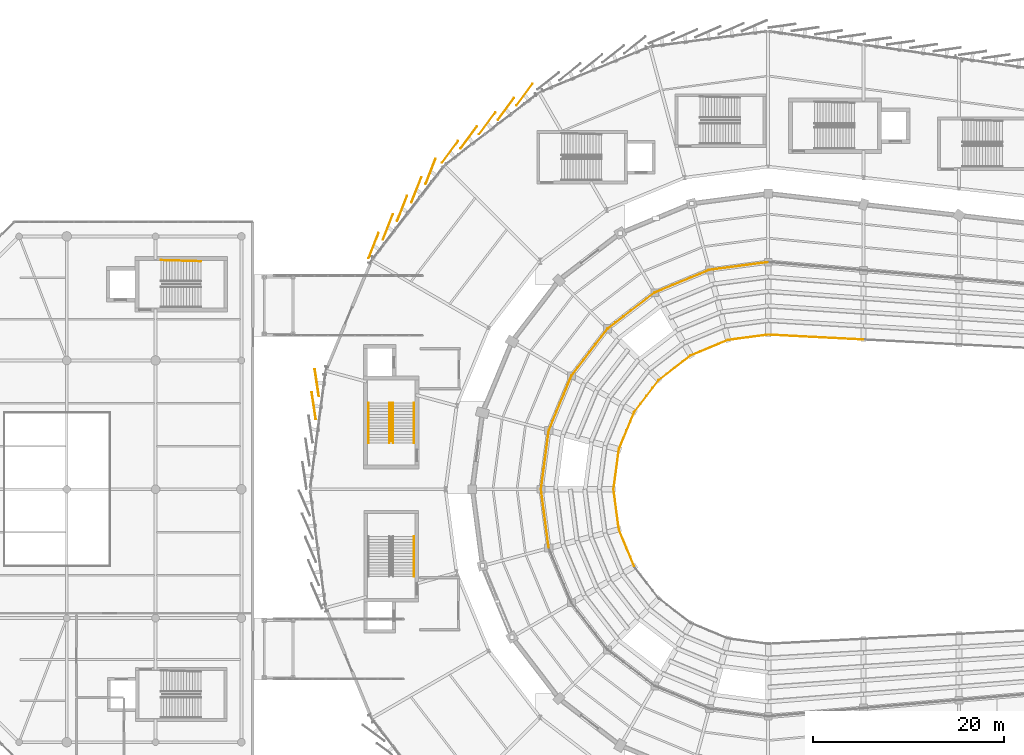
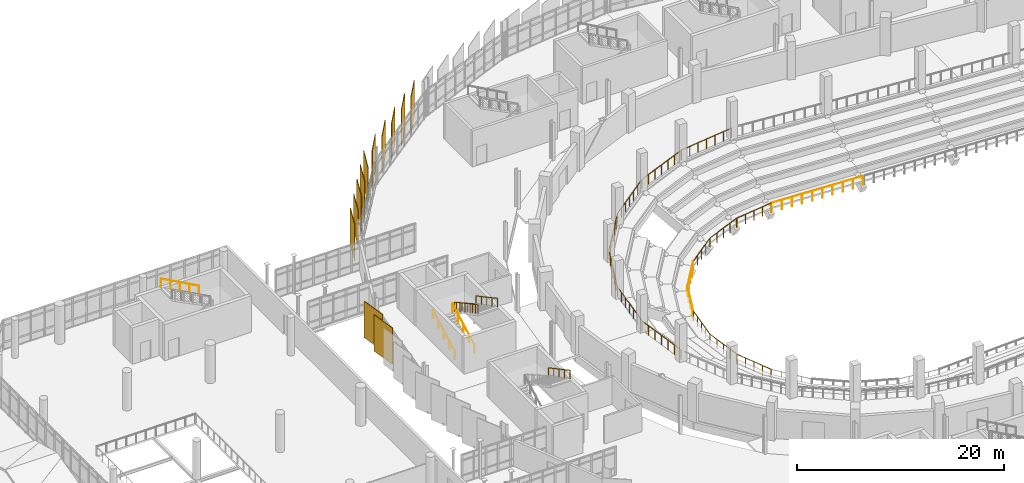
# One storey, part 127 of 134: 23 railings, 12 coverings.
"""IFC4 building model written with IfcOpenShell, lengths in metres."""

from ifc_helpers import new_model, si_unit, direction, frame, origin, origin_2d, place, context, subcontext, project, spatial, rectangle, circle, extrude, material, layer, layer_set, type_object, element, save


model = new_model("IFC4")

# Units and contexts
model_context = context("Model", 3, precision=1e-05, world=origin(), true_north=direction((0.0, 1.0)))
body_context = subcontext(model_context, "Body", "Model", "MODEL_VIEW")
ifc_project = project(units=[si_unit("LENGTHUNIT", "METRE"), si_unit("AREAUNIT", "SQUARE_METRE"), si_unit("VOLUMEUNIT", "CUBIC_METRE"), si_unit("PLANEANGLEUNIT", "RADIAN"), si_unit("MASSUNIT", "GRAM", prefix="KILO")], contexts=[model_context])

# Site, building, storey
site_placement = place(None, origin())
site = spatial("IfcSite", under=ifc_project, at=site_placement, CompositionType="ELEMENT")
building_placement = place(site_placement, origin())
building = spatial("IfcBuilding", under=site, at=building_placement, Name="Sohan Crest Arena", CompositionType="ELEMENT")
storey_placement = place(building_placement, frame((0.0, 0.0, 4.5)))
storey = spatial("IfcBuildingStorey", under=building, at=storey_placement, Name="L01", CompositionType="ELEMENT", Elevation=4.5)

# Railings
ifc_material_1 = material(Name="Powder-coated wrought steel balustrade", Category="steel")
railing_type_1 = type_object("IfcRailingType", Name="ARC-GRD-01", PredefinedType="GUARDRAIL", material=ifc_material_1)
railing_1_placement = place(storey_placement, frame((58.5, 87.030029296875, 2.25)))
element("IfcRailing", 1, at=railing_1_placement, inside=storey, type_object=railing_type_1, Name="Stair well slot guard GRD-010", PredefinedType="GUARDRAIL", context=body_context, shape_type="SweptSolid", body=[
    extrude(circle(Radius=0.02392578125, at=origin_2d()), frame((0.0, 0.0, 1.076171875), z_axis=(0.0, -0.87313487534, 0.487478706678), x_axis=(1.0, 0.0, 0.0)), (0.0, 0.0, 1.0), 4.615478515625),
    extrude(circle(Radius=0.02099609375, at=origin_2d()), origin(), (0.0, 0.0, 1.0), 1.052001953125),
    extrude(circle(Radius=0.02099609375, at=origin_2d()), frame((0.0, -1.007568359375, 0.5625)), (0.0, 0.0, 1.0), 1.052001953125),
    extrude(circle(Radius=0.02099609375, at=origin_2d()), frame((0.0, -2.01513671875, 1.125)), (0.0, 0.0, 1.0), 1.052001953125),
    extrude(circle(Radius=0.02099609375, at=origin_2d()), frame((0.0, -3.0224609375, 1.6875)), (0.0, 0.0, 1.0), 1.052001953125),
    extrude(circle(Radius=0.02099609375, at=origin_2d()), frame((0.0, -4.030029296875, 2.25)), (0.0, 0.0, 1.0), 1.052001953125),
])
ifc_material_2 = material(Name="Laminated glass and steel sightline guard", Category="steel")
railing_type_2 = type_object("IfcRailingType", Name="ARC-GRD-02", PredefinedType="GUARDRAIL", material=ifc_material_2)
railing_2_placement = place(storey_placement, frame((97.9599609375, 94.195068359375, -4.25)))
element("IfcRailing", 2, at=railing_2_placement, inside=storey, type_object=railing_type_2, Name="Courtside bowl crowd barrier GRD-123", PredefinedType="GUARDRAIL", context=body_context, shape_type="SweptSolid", body=[
    extrude(circle(Radius=0.02392578125, at=origin_2d()), frame((0.0, 0.0, 1.1259765625), z_axis=(-0.991429239412, -0.130644797976, 0.0), x_axis=(0.130644797976, -0.991429239412, 0.0)), (0.0, 0.0, 1.0), 4.148681640625),
    extrude(circle(Radius=0.02099609375, at=origin_2d()), origin(), (0.0, 0.0, 1.0), 1.101806640625),
    extrude(circle(Radius=0.02099609375, at=origin_2d()), frame((-1.0283203125, -0.135498046875, 0.0)), (0.0, 0.0, 1.0), 1.101806640625),
    extrude(circle(Radius=0.02099609375, at=origin_2d()), frame((-2.056640625, -0.27099609375, 0.0)), (0.0, 0.0, 1.0), 1.101806640625),
    extrude(circle(Radius=0.02099609375, at=origin_2d()), frame((-3.084716796875, -0.406494140625, 0.0)), (0.0, 0.0, 1.0), 1.101806640625),
    extrude(circle(Radius=0.02099609375, at=origin_2d()), frame((-4.113037109375, -0.5419921875, 0.0)), (0.0, 0.0, 1.0), 1.101806640625),
])
railing_3_placement = place(storey_placement, frame((93.77001953125, 93.633056640625, -4.25)))
element("IfcRailing", 3, at=railing_3_placement, inside=storey, type_object=railing_type_2, Name="Courtside bowl crowd barrier GRD-124", PredefinedType="GUARDRAIL", context=body_context, shape_type="SweptSolid", body=[
    extrude(circle(Radius=0.02392578125, at=origin_2d()), frame((0.0, 0.0, 1.1259765625), z_axis=(-0.923841100882, -0.382776201353, 0.0), x_axis=(0.382776201353, -0.923841100882, 0.0)), (0.0, 0.0, 1.0), 4.14892578125),
    extrude(circle(Radius=0.02099609375, at=origin_2d()), origin(), (0.0, 0.0, 1.0), 1.101806640625),
    extrude(circle(Radius=0.02099609375, at=origin_2d()), frame((-0.958251953125, -0.39697265625, 0.0)), (0.0, 0.0, 1.0), 1.101806640625),
    extrude(circle(Radius=0.02099609375, at=origin_2d()), frame((-1.91650390625, -0.7939453125, 0.0)), (0.0, 0.0, 1.0), 1.101806640625),
    extrude(circle(Radius=0.02099609375, at=origin_2d()), frame((-2.874755859375, -1.191162109375, 0.0)), (0.0, 0.0, 1.0), 1.101806640625),
    extrude(circle(Radius=0.02099609375, at=origin_2d()), frame((-3.8330078125, -1.588134765625, 0.0)), (0.0, 0.0, 1.0), 1.101806640625),
])
railing_4_placement = place(storey_placement, frame((89.867919921875, 92.006103515625, -4.25)))
element("IfcRailing", 4, at=railing_4_placement, inside=storey, type_object=railing_type_2, Name="Courtside bowl crowd barrier GRD-125", PredefinedType="GUARDRAIL", context=body_context, shape_type="SweptSolid", body=[
    extrude(circle(Radius=0.02392578125, at=origin_2d()), frame((0.0, 0.0, 1.1259765625), z_axis=(-0.793142093284, -0.60903663261, 0.0), x_axis=(0.60903663261, -0.793142093284, 0.0)), (0.0, 0.0, 1.0), 4.1494140625),
    extrude(circle(Radius=0.02099609375, at=origin_2d()), origin(), (0.0, 0.0, 1.0), 1.101806640625),
    extrude(circle(Radius=0.02099609375, at=origin_2d()), frame((-0.82275390625, -0.6318359375, 0.0)), (0.0, 0.0, 1.0), 1.101806640625),
    extrude(circle(Radius=0.02099609375, at=origin_2d()), frame((-1.6455078125, -1.263671875, 0.0)), (0.0, 0.0, 1.0), 1.101806640625),
    extrude(circle(Radius=0.02099609375, at=origin_2d()), frame((-2.46826171875, -1.895263671875, 0.0)), (0.0, 0.0, 1.0), 1.101806640625),
    extrude(circle(Radius=0.02099609375, at=origin_2d()), frame((-3.291015625, -2.527099609375, 0.0)), (0.0, 0.0, 1.0), 1.101806640625),
])
railing_5_placement = place(storey_placement, frame((86.52099609375, 89.423095703125, -4.25)))
element("IfcRailing", 5, at=railing_5_placement, inside=storey, type_object=railing_type_2, Name="Courtside bowl crowd barrier GRD-126", PredefinedType="GUARDRAIL", context=body_context, shape_type="SweptSolid", body=[
    extrude(circle(Radius=0.02392578125, at=origin_2d()), frame((0.0, 0.0, 1.1259765625), z_axis=(-0.60903663261, -0.793142093284, 0.0), x_axis=(0.793142093284, -0.60903663261, 0.0)), (0.0, 0.0, 1.0), 4.1494140625),
    extrude(circle(Radius=0.02099609375, at=origin_2d()), origin(), (0.0, 0.0, 1.0), 1.101806640625),
    extrude(circle(Radius=0.02099609375, at=origin_2d()), frame((-0.6318359375, -0.82275390625, 0.0)), (0.0, 0.0, 1.0), 1.101806640625),
    extrude(circle(Radius=0.02099609375, at=origin_2d()), frame((-1.263671875, -1.6455078125, 0.0)), (0.0, 0.0, 1.0), 1.101806640625),
    extrude(circle(Radius=0.02099609375, at=origin_2d()), frame((-1.895263671875, -2.46826171875, 0.0)), (0.0, 0.0, 1.0), 1.101806640625),
    extrude(circle(Radius=0.02099609375, at=origin_2d()), frame((-2.527099609375, -3.291015625, 0.0)), (0.0, 0.0, 1.0), 1.101806640625),
])
railing_6_placement = place(storey_placement, frame((83.955078125, 86.06298828125, -4.25)))
element("IfcRailing", 6, at=railing_6_placement, inside=storey, type_object=railing_type_2, Name="Courtside bowl crowd barrier GRD-127", PredefinedType="GUARDRAIL", context=body_context, shape_type="SweptSolid", body=[
    extrude(circle(Radius=0.02392578125, at=origin_2d()), frame((0.0, 0.0, 1.1259765625), z_axis=(-0.382776201353, -0.923841100882, 0.0), x_axis=(0.923841100882, -0.382776201353, 0.0)), (0.0, 0.0, 1.0), 4.14892578125),
    extrude(circle(Radius=0.02099609375, at=origin_2d()), origin(), (0.0, 0.0, 1.0), 1.101806640625),
    extrude(circle(Radius=0.02099609375, at=origin_2d()), frame((-0.39697265625, -0.958251953125, 0.0)), (0.0, 0.0, 1.0), 1.101806640625),
    extrude(circle(Radius=0.02099609375, at=origin_2d()), frame((-0.7939453125, -1.91650390625, 0.0)), (0.0, 0.0, 1.0), 1.101806640625),
    extrude(circle(Radius=0.02099609375, at=origin_2d()), frame((-1.191162109375, -2.874755859375, 0.0)), (0.0, 0.0, 1.0), 1.101806640625),
    extrude(circle(Radius=0.02099609375, at=origin_2d()), frame((-1.588134765625, -3.8330078125, 0.0)), (0.0, 0.0, 1.0), 1.101806640625),
])
railing_7_placement = place(storey_placement, frame((82.346923828125, 82.153076171875, -4.25)))
element("IfcRailing", 7, at=railing_7_placement, inside=storey, type_object=railing_type_2, Name="Courtside bowl crowd barrier GRD-128", PredefinedType="GUARDRAIL", context=body_context, shape_type="SweptSolid", body=[
    extrude(circle(Radius=0.02392578125, at=origin_2d()), frame((0.0, 0.0, 1.1259765625), z_axis=(-0.130644797976, -0.991429239412, 0.0), x_axis=(0.991429239412, -0.130644797976, 0.0)), (0.0, 0.0, 1.0), 4.148681640625),
    extrude(circle(Radius=0.02099609375, at=origin_2d()), origin(), (0.0, 0.0, 1.0), 1.101806640625),
    extrude(circle(Radius=0.02099609375, at=origin_2d()), frame((-0.135498046875, -1.0283203125, 0.0)), (0.0, 0.0, 1.0), 1.101806640625),
    extrude(circle(Radius=0.02099609375, at=origin_2d()), frame((-0.27099609375, -2.056640625, 0.0)), (0.0, 0.0, 1.0), 1.101806640625),
    extrude(circle(Radius=0.02099609375, at=origin_2d()), frame((-0.406494140625, -3.084716796875, 0.0)), (0.0, 0.0, 1.0), 1.101806640625),
    extrude(circle(Radius=0.02099609375, at=origin_2d()), frame((-0.5419921875, -4.113037109375, 0.0)), (0.0, 0.0, 1.0), 1.101806640625),
])
railing_8_placement = place(storey_placement, frame((81.804931640625, 77.9599609375, -4.25)))
element("IfcRailing", 8, at=railing_8_placement, inside=storey, type_object=railing_type_2, Name="Courtside bowl crowd barrier GRD-129", PredefinedType="GUARDRAIL", context=body_context, shape_type="SweptSolid", body=[
    extrude(circle(Radius=0.02392578125, at=origin_2d()), frame((0.0, 0.0, 1.1259765625), z_axis=(0.130644797976, -0.991429239412, 0.0), x_axis=(0.991429239412, 0.130644797976, 0.0)), (0.0, 0.0, 1.0), 4.148681640625),
    extrude(circle(Radius=0.02099609375, at=origin_2d()), origin(), (0.0, 0.0, 1.0), 1.101806640625),
    extrude(circle(Radius=0.02099609375, at=origin_2d()), frame((0.135498046875, -1.0283203125, 0.0)), (0.0, 0.0, 1.0), 1.101806640625),
    extrude(circle(Radius=0.02099609375, at=origin_2d()), frame((0.27099609375, -2.056640625, 0.0)), (0.0, 0.0, 1.0), 1.101806640625),
    extrude(circle(Radius=0.02099609375, at=origin_2d()), frame((0.406494140625, -3.084716796875, 0.0)), (0.0, 0.0, 1.0), 1.101806640625),
    extrude(circle(Radius=0.02099609375, at=origin_2d()), frame((0.5419921875, -4.113037109375, 0.0)), (0.0, 0.0, 1.0), 1.101806640625),
])
railing_9_placement = place(storey_placement, frame((82.366943359375, 73.77001953125, -4.25)))
element("IfcRailing", 9, at=railing_9_placement, inside=storey, type_object=railing_type_2, Name="Courtside bowl crowd barrier GRD-130", PredefinedType="GUARDRAIL", context=body_context, shape_type="SweptSolid", body=[
    extrude(circle(Radius=0.02392578125, at=origin_2d()), frame((0.0, 0.0, 1.1259765625), z_axis=(0.382776201353, -0.923841100882, 0.0), x_axis=(0.923841100882, 0.382776201353, 0.0)), (0.0, 0.0, 1.0), 4.14892578125),
    extrude(circle(Radius=0.02099609375, at=origin_2d()), origin(), (0.0, 0.0, 1.0), 1.101806640625),
    extrude(circle(Radius=0.02099609375, at=origin_2d()), frame((0.39697265625, -0.958251953125, 0.0)), (0.0, 0.0, 1.0), 1.101806640625),
    extrude(circle(Radius=0.02099609375, at=origin_2d()), frame((0.7939453125, -1.91650390625, 0.0)), (0.0, 0.0, 1.0), 1.101806640625),
    extrude(circle(Radius=0.02099609375, at=origin_2d()), frame((1.191162109375, -2.874755859375, 0.0)), (0.0, 0.0, 1.0), 1.101806640625),
    extrude(circle(Radius=0.02099609375, at=origin_2d()), frame((1.588134765625, -3.8330078125, 0.0)), (0.0, 0.0, 1.0), 1.101806640625),
])
railing_10_placement = place(storey_placement, frame((107.9599609375, 93.68798828125, -4.25)))
element("IfcRailing", 10, at=railing_10_placement, inside=storey, type_object=railing_type_2, Name="Courtside bowl crowd barrier GRD-156", PredefinedType="GUARDRAIL", context=body_context, shape_type="SweptSolid", body=[
    extrude(circle(Radius=0.02392578125, at=origin_2d()), frame((0.0, 0.0, 1.1259765625), z_axis=(-0.998680982493, 0.051344865437, 0.0), x_axis=(-0.051344865437, -0.998680982493, 0.0)), (0.0, 0.0, 1.0), 9.93310546875),
    extrude(circle(Radius=0.02099609375, at=origin_2d()), origin(), (0.0, 0.0, 1.0), 1.101806640625),
    extrude(circle(Radius=0.02099609375, at=origin_2d()), frame((-1.102294921875, 0.056640625, 0.0)), (0.0, 0.0, 1.0), 1.101806640625),
    extrude(circle(Radius=0.02099609375, at=origin_2d()), frame((-2.204345703125, 0.11328125, 0.0)), (0.0, 0.0, 1.0), 1.101806640625),
    extrude(circle(Radius=0.02099609375, at=origin_2d()), frame((-3.306640625, 0.169921875, 0.0)), (0.0, 0.0, 1.0), 1.101806640625),
    extrude(circle(Radius=0.02099609375, at=origin_2d()), frame((-4.408935546875, 0.2265625, 0.0)), (0.0, 0.0, 1.0), 1.101806640625),
    extrude(circle(Radius=0.02099609375, at=origin_2d()), frame((-5.510986328125, 0.283447265625, 0.0)), (0.0, 0.0, 1.0), 1.101806640625),
    extrude(circle(Radius=0.02099609375, at=origin_2d()), frame((-6.61328125, 0.340087890625, 0.0)), (0.0, 0.0, 1.0), 1.101806640625),
    extrude(circle(Radius=0.02099609375, at=origin_2d()), frame((-7.715576171875, 0.396728515625, 0.0)), (0.0, 0.0, 1.0), 1.101806640625),
    extrude(circle(Radius=0.02099609375, at=origin_2d()), frame((-8.817626953125, 0.453369140625, 0.0)), (0.0, 0.0, 1.0), 1.101806640625),
    extrude(circle(Radius=0.02099609375, at=origin_2d()), frame((-9.919921875, 0.510009765625, 0.0)), (0.0, 0.0, 1.0), 1.101806640625),
])
railing_11_placement = place(storey_placement, frame((97.9599609375, 101.794921875, 0.0)))
element("IfcRailing", 11, at=railing_11_placement, inside=storey, type_object=railing_type_2, Name="Bowl gallery edge guard GRD-184", PredefinedType="GUARDRAIL", context=body_context, shape_type="SweptSolid", body=[
    extrude(circle(Radius=0.02392578125, at=origin_2d()), frame((0.0, 0.0, 1.1259765625), z_axis=(-0.991432873037, -0.130617220384, 0.0), x_axis=(0.130617220384, -0.991432873037, 0.0)), (0.0, 0.0, 1.0), 6.132568359375),
    extrude(circle(Radius=0.02099609375, at=origin_2d()), origin(), (0.0, 0.0, 1.0), 1.101806640625),
    extrude(circle(Radius=0.02099609375, at=origin_2d()), frame((-1.013427734375, -0.133544921875, 0.0)), (0.0, 0.0, 1.0), 1.101806640625),
    extrude(circle(Radius=0.02099609375, at=origin_2d()), frame((-2.026611328125, -0.26708984375, 0.0)), (0.0, 0.0, 1.0), 1.101806640625),
    extrude(circle(Radius=0.02099609375, at=origin_2d()), frame((-3.0400390625, -0.400390625, 0.0)), (0.0, 0.0, 1.0), 1.101806640625),
    extrude(circle(Radius=0.02099609375, at=origin_2d()), frame((-4.053466796875, -0.533935546875, 0.0)), (0.0, 0.0, 1.0), 1.101806640625),
    extrude(circle(Radius=0.02099609375, at=origin_2d()), frame((-5.066650390625, -0.66748046875, 0.0)), (0.0, 0.0, 1.0), 1.101806640625),
    extrude(circle(Radius=0.02099609375, at=origin_2d()), frame((-6.080078125, -0.801025390625, 0.0)), (0.0, 0.0, 1.0), 1.101806640625),
])
railing_12_placement = place(storey_placement, frame((91.802978515625, 100.97412109375, 0.0)))
element("IfcRailing", 12, at=railing_12_placement, inside=storey, type_object=railing_type_2, Name="Bowl gallery edge guard GRD-185", PredefinedType="GUARDRAIL", context=body_context, shape_type="SweptSolid", body=[
    extrude(circle(Radius=0.02392578125, at=origin_2d()), frame((0.0, 0.0, 1.1259765625), z_axis=(-0.923810112157, -0.38285098495, 0.0), x_axis=(0.38285098495, -0.923810112157, 0.0)), (0.0, 0.0, 1.0), 6.13330078125),
    extrude(circle(Radius=0.02099609375, at=origin_2d()), origin(), (0.0, 0.0, 1.0), 1.101806640625),
    extrude(circle(Radius=0.02099609375, at=origin_2d()), frame((-0.9443359375, -0.391357421875, 0.0)), (0.0, 0.0, 1.0), 1.101806640625),
    extrude(circle(Radius=0.02099609375, at=origin_2d()), frame((-1.888671875, -0.78271484375, 0.0)), (0.0, 0.0, 1.0), 1.101806640625),
    extrude(circle(Radius=0.02099609375, at=origin_2d()), frame((-2.8330078125, -1.174072265625, 0.0)), (0.0, 0.0, 1.0), 1.101806640625),
    extrude(circle(Radius=0.02099609375, at=origin_2d()), frame((-3.77734375, -1.5654296875, 0.0)), (0.0, 0.0, 1.0), 1.101806640625),
    extrude(circle(Radius=0.02099609375, at=origin_2d()), frame((-4.7216796875, -1.956787109375, 0.0)), (0.0, 0.0, 1.0), 1.101806640625),
    extrude(circle(Radius=0.02099609375, at=origin_2d()), frame((-5.666015625, -2.34814453125, 0.0)), (0.0, 0.0, 1.0), 1.101806640625),
])
railing_13_placement = place(storey_placement, frame((86.068115234375, 98.5869140625, 0.0)))
element("IfcRailing", 13, at=railing_13_placement, inside=storey, type_object=railing_type_2, Name="Bowl gallery edge guard GRD-186", PredefinedType="GUARDRAIL", context=body_context, shape_type="SweptSolid", body=[
    extrude(circle(Radius=0.02392578125, at=origin_2d()), frame((0.0, 0.0, 1.1259765625), z_axis=(-0.793301277629, -0.608829272384, 0.0), x_axis=(0.608829272384, -0.793301277629, 0.0)), (0.0, 0.0, 1.0), 6.1328125),
    extrude(circle(Radius=0.02099609375, at=origin_2d()), origin(), (0.0, 0.0, 1.0), 1.101806640625),
    extrude(circle(Radius=0.02099609375, at=origin_2d()), frame((-0.810791015625, -0.622314453125, 0.0)), (0.0, 0.0, 1.0), 1.101806640625),
    extrude(circle(Radius=0.02099609375, at=origin_2d()), frame((-1.621826171875, -1.24462890625, 0.0)), (0.0, 0.0, 1.0), 1.101806640625),
    extrude(circle(Radius=0.02099609375, at=origin_2d()), frame((-2.4326171875, -1.866943359375, 0.0)), (0.0, 0.0, 1.0), 1.101806640625),
    extrude(circle(Radius=0.02099609375, at=origin_2d()), frame((-3.243408203125, -2.4892578125, 0.0)), (0.0, 0.0, 1.0), 1.101806640625),
    extrude(circle(Radius=0.02099609375, at=origin_2d()), frame((-4.054443359375, -3.111572265625, 0.0)), (0.0, 0.0, 1.0), 1.101806640625),
    extrude(circle(Radius=0.02099609375, at=origin_2d()), frame((-4.865234375, -3.73388671875, 0.0)), (0.0, 0.0, 1.0), 1.101806640625),
])
railing_14_placement = place(storey_placement, frame((81.14697265625, 94.797119140625, 0.0)))
element("IfcRailing", 14, at=railing_14_placement, inside=storey, type_object=railing_type_2, Name="Bowl gallery edge guard GRD-187", PredefinedType="GUARDRAIL", context=body_context, shape_type="SweptSolid", body=[
    extrude(circle(Radius=0.02392578125, at=origin_2d()), frame((0.0, 0.0, 1.1259765625), z_axis=(-0.608829272384, -0.793301277629, 0.0), x_axis=(0.793301277629, -0.608829272384, 0.0)), (0.0, 0.0, 1.0), 6.1328125),
    extrude(circle(Radius=0.02099609375, at=origin_2d()), origin(), (0.0, 0.0, 1.0), 1.101806640625),
    extrude(circle(Radius=0.02099609375, at=origin_2d()), frame((-0.622314453125, -0.810791015625, 0.0)), (0.0, 0.0, 1.0), 1.101806640625),
    extrude(circle(Radius=0.02099609375, at=origin_2d()), frame((-1.24462890625, -1.621826171875, 0.0)), (0.0, 0.0, 1.0), 1.101806640625),
    extrude(circle(Radius=0.02099609375, at=origin_2d()), frame((-1.866943359375, -2.4326171875, 0.0)), (0.0, 0.0, 1.0), 1.101806640625),
    extrude(circle(Radius=0.02099609375, at=origin_2d()), frame((-2.4892578125, -3.243408203125, 0.0)), (0.0, 0.0, 1.0), 1.101806640625),
    extrude(circle(Radius=0.02099609375, at=origin_2d()), frame((-3.111572265625, -4.054443359375, 0.0)), (0.0, 0.0, 1.0), 1.101806640625),
    extrude(circle(Radius=0.02099609375, at=origin_2d()), frame((-3.73388671875, -4.865234375, 0.0)), (0.0, 0.0, 1.0), 1.101806640625),
])
railing_15_placement = place(storey_placement, frame((77.3740234375, 89.863037109375, 0.0)))
element("IfcRailing", 15, at=railing_15_placement, inside=storey, type_object=railing_type_2, Name="Bowl gallery edge guard GRD-188", PredefinedType="GUARDRAIL", context=body_context, shape_type="SweptSolid", body=[
    extrude(circle(Radius=0.02392578125, at=origin_2d()), frame((0.0, 0.0, 1.1259765625), z_axis=(-0.38285098495, -0.923810112157, 0.0), x_axis=(0.923810112157, -0.38285098495, 0.0)), (0.0, 0.0, 1.0), 6.13330078125),
    extrude(circle(Radius=0.02099609375, at=origin_2d()), origin(), (0.0, 0.0, 1.0), 1.101806640625),
    extrude(circle(Radius=0.02099609375, at=origin_2d()), frame((-0.391357421875, -0.9443359375, 0.0)), (0.0, 0.0, 1.0), 1.101806640625),
    extrude(circle(Radius=0.02099609375, at=origin_2d()), frame((-0.78271484375, -1.888671875, 0.0)), (0.0, 0.0, 1.0), 1.101806640625),
    extrude(circle(Radius=0.02099609375, at=origin_2d()), frame((-1.174072265625, -2.8330078125, 0.0)), (0.0, 0.0, 1.0), 1.101806640625),
    extrude(circle(Radius=0.02099609375, at=origin_2d()), frame((-1.5654296875, -3.77734375, 0.0)), (0.0, 0.0, 1.0), 1.101806640625),
    extrude(circle(Radius=0.02099609375, at=origin_2d()), frame((-1.956787109375, -4.7216796875, 0.0)), (0.0, 0.0, 1.0), 1.101806640625),
    extrude(circle(Radius=0.02099609375, at=origin_2d()), frame((-2.34814453125, -5.666015625, 0.0)), (0.0, 0.0, 1.0), 1.101806640625),
])
railing_16_placement = place(storey_placement, frame((75.006103515625, 84.1201171875, 0.0)))
element("IfcRailing", 16, at=railing_16_placement, inside=storey, type_object=railing_type_2, Name="Bowl gallery edge guard GRD-189", PredefinedType="GUARDRAIL", context=body_context, shape_type="SweptSolid", body=[
    extrude(circle(Radius=0.02392578125, at=origin_2d()), frame((0.0, 0.0, 1.1259765625), z_axis=(-0.130617220384, -0.991432873037, 0.0), x_axis=(0.991432873037, -0.130617220384, 0.0)), (0.0, 0.0, 1.0), 6.132568359375),
    extrude(circle(Radius=0.02099609375, at=origin_2d()), origin(), (0.0, 0.0, 1.0), 1.101806640625),
    extrude(circle(Radius=0.02099609375, at=origin_2d()), frame((-0.133544921875, -1.013427734375, 0.0)), (0.0, 0.0, 1.0), 1.101806640625),
    extrude(circle(Radius=0.02099609375, at=origin_2d()), frame((-0.26708984375, -2.026611328125, 0.0)), (0.0, 0.0, 1.0), 1.101806640625),
    extrude(circle(Radius=0.02099609375, at=origin_2d()), frame((-0.400390625, -3.0400390625, 0.0)), (0.0, 0.0, 1.0), 1.101806640625),
    extrude(circle(Radius=0.02099609375, at=origin_2d()), frame((-0.533935546875, -4.053466796875, 0.0)), (0.0, 0.0, 1.0), 1.101806640625),
    extrude(circle(Radius=0.02099609375, at=origin_2d()), frame((-0.66748046875, -5.066650390625, 0.0)), (0.0, 0.0, 1.0), 1.101806640625),
    extrude(circle(Radius=0.02099609375, at=origin_2d()), frame((-0.801025390625, -6.080078125, 0.0)), (0.0, 0.0, 1.0), 1.101806640625),
])
railing_17_placement = place(storey_placement, frame((74.205078125, 77.9599609375, 0.0)))
element("IfcRailing", 17, at=railing_17_placement, inside=storey, type_object=railing_type_2, Name="Bowl gallery edge guard GRD-190", PredefinedType="GUARDRAIL", context=body_context, shape_type="SweptSolid", body=[
    extrude(circle(Radius=0.02392578125, at=origin_2d()), frame((0.0, 0.0, 1.1259765625), z_axis=(0.130617220384, -0.991432873037, 0.0), x_axis=(0.991432873037, 0.130617220384, 0.0)), (0.0, 0.0, 1.0), 6.132568359375),
    extrude(circle(Radius=0.02099609375, at=origin_2d()), origin(), (0.0, 0.0, 1.0), 1.101806640625),
    extrude(circle(Radius=0.02099609375, at=origin_2d()), frame((0.133544921875, -1.013427734375, 0.0)), (0.0, 0.0, 1.0), 1.101806640625),
    extrude(circle(Radius=0.02099609375, at=origin_2d()), frame((0.26708984375, -2.026611328125, 0.0)), (0.0, 0.0, 1.0), 1.101806640625),
    extrude(circle(Radius=0.02099609375, at=origin_2d()), frame((0.400390625, -3.0400390625, 0.0)), (0.0, 0.0, 1.0), 1.101806640625),
    extrude(circle(Radius=0.02099609375, at=origin_2d()), frame((0.533935546875, -4.053466796875, 0.0)), (0.0, 0.0, 1.0), 1.101806640625),
    extrude(circle(Radius=0.02099609375, at=origin_2d()), frame((0.66748046875, -5.066650390625, 0.0)), (0.0, 0.0, 1.0), 1.101806640625),
    extrude(circle(Radius=0.02099609375, at=origin_2d()), frame((0.801025390625, -6.080078125, 0.0)), (0.0, 0.0, 1.0), 1.101806640625),
])
ifc_material_3 = material(Name="Brushed stainless steel stair handrail", Category="steel")
railing_type_3 = type_object("IfcRailingType", Name="ARC-HR-01", PredefinedType="HANDRAIL", material=ifc_material_3)
railing_18_placement = place(storey_placement, frame((60.889892578125, 73.050048828125, 2.25)))
element("IfcRailing", 18, at=railing_18_placement, inside=storey, type_object=railing_type_3, Name="Stair pitch handrail HR-012", PredefinedType="HANDRAIL", context=body_context, shape_type="SweptSolid", body=[
    extrude(circle(Radius=0.02392578125, at=origin_2d()), frame((0.0, 0.0, 0.97607421875), z_axis=(0.0, -0.881477684796, 0.472225678258), x_axis=(1.0, 0.0, 0.0)), (0.0, 0.0, 1.0), 4.7646484375),
    extrude(circle(Radius=0.02099609375, at=origin_2d()), origin(), (0.0, 0.0, 1.0), 0.951904296875),
    extrude(circle(Radius=0.02099609375, at=origin_2d()), frame((0.0, -1.050048828125, 0.5625)), (0.0, 0.0, 1.0), 0.951904296875),
    extrude(circle(Radius=0.02099609375, at=origin_2d()), frame((0.0, -2.10009765625, 1.125)), (0.0, 0.0, 1.0), 0.951904296875),
    extrude(circle(Radius=0.02099609375, at=origin_2d()), frame((0.0, -3.14990234375, 1.6875)), (0.0, 0.0, 1.0), 0.951904296875),
    extrude(circle(Radius=0.02099609375, at=origin_2d()), frame((0.0, -4.199951171875, 2.25)), (0.0, 0.0, 1.0), 0.951904296875),
])
for number, where, name in (
    (19, (56.110107421875, 82.85009765625, 0.0), "Stair pitch handrail HR-033"),
    (20, (58.2900390625, 82.85009765625, 0.0), "Stair pitch handrail HR-034"),
):
    element("IfcRailing", number, at=place(storey_placement, frame(where)), inside=storey, type_object=railing_type_3, Name=name, PredefinedType="HANDRAIL", context=body_context, shape_type="SweptSolid", body=[
        extrude(circle(Radius=0.02392578125, at=origin_2d()), frame((0.0, 0.0, 0.97607421875), z_axis=(0.0, 0.881477684796, 0.472225678258), x_axis=(-1.0, 0.0, 0.0)), (0.0, 0.0, 1.0), 4.7646484375),
        extrude(circle(Radius=0.02099609375, at=origin_2d()), origin(), (0.0, 0.0, 1.0), 0.951904296875),
        extrude(circle(Radius=0.02099609375, at=origin_2d()), frame((0.0, 1.050048828125, 0.5625)), (0.0, 0.0, 1.0), 0.951904296875),
        extrude(circle(Radius=0.02099609375, at=origin_2d()), frame((0.0, 2.10009765625, 1.125)), (0.0, 0.0, 1.0), 0.951904296875),
        extrude(circle(Radius=0.02099609375, at=origin_2d()), frame((0.0, 3.14990234375, 1.6875)), (0.0, 0.0, 1.0), 0.951904296875),
        extrude(circle(Radius=0.02099609375, at=origin_2d()), frame((0.0, 4.199951171875, 2.25)), (0.0, 0.0, 1.0), 0.951904296875),
    ])
for number, where, name in (
    (21, (58.7099609375, 87.050048828125, 2.25), "Stair pitch handrail HR-035"),
    (22, (60.889892578125, 87.050048828125, 2.25), "Stair pitch handrail HR-036"),
):
    element("IfcRailing", number, at=place(storey_placement, frame(where)), inside=storey, type_object=railing_type_3, Name=name, PredefinedType="HANDRAIL", context=body_context, shape_type="SweptSolid", body=[
        extrude(circle(Radius=0.02392578125, at=origin_2d()), frame((0.0, 0.0, 0.97607421875), z_axis=(0.0, -0.881477684796, 0.472225678258), x_axis=(1.0, 0.0, 0.0)), (0.0, 0.0, 1.0), 4.7646484375),
        extrude(circle(Radius=0.02099609375, at=origin_2d()), origin(), (0.0, 0.0, 1.0), 0.951904296875),
        extrude(circle(Radius=0.02099609375, at=origin_2d()), frame((0.0, -1.050048828125, 0.5625)), (0.0, 0.0, 1.0), 0.951904296875),
        extrude(circle(Radius=0.02099609375, at=origin_2d()), frame((0.0, -2.10009765625, 1.125)), (0.0, 0.0, 1.0), 0.951904296875),
        extrude(circle(Radius=0.02099609375, at=origin_2d()), frame((0.0, -3.14990234375, 1.6875)), (0.0, 0.0, 1.0), 0.951904296875),
        extrude(circle(Radius=0.02099609375, at=origin_2d()), frame((0.0, -4.199951171875, 2.25)), (0.0, 0.0, 1.0), 0.951904296875),
    ])
railing_19_placement = place(storey_placement, frame((38.550048828125, 101.889892578125, 2.25)))
element("IfcRailing", 23, at=railing_19_placement, inside=storey, type_object=railing_type_3, Name="Stair pitch handrail HR-252", PredefinedType="HANDRAIL", context=body_context, shape_type="SweptSolid", body=[
    extrude(circle(Radius=0.02392578125, at=origin_2d()), frame((0.0, 0.0, 0.97607421875), z_axis=(-0.881197710057, 0.025201957411, 0.472075690047), x_axis=(-0.028587973606, -0.999591280357, 0.0)), (0.0, 0.0, 1.0), 4.76611328125),
    extrude(circle(Radius=0.02099609375, at=origin_2d()), origin(), (0.0, 0.0, 1.0), 0.951904296875),
    extrude(circle(Radius=0.02099609375, at=origin_2d()), frame((-1.050048828125, 0.030029296875, 0.5625)), (0.0, 0.0, 1.0), 0.951904296875),
    extrude(circle(Radius=0.02099609375, at=origin_2d()), frame((-2.10009765625, 0.06005859375, 1.125)), (0.0, 0.0, 1.0), 0.951904296875),
    extrude(circle(Radius=0.02099609375, at=origin_2d()), frame((-3.14990234375, 0.090087890625, 1.6875)), (0.0, 0.0, 1.0), 0.951904296875),
    extrude(circle(Radius=0.02099609375, at=origin_2d()), frame((-4.199951171875, 0.1201171875, 2.25)), (0.0, 0.0, 1.0), 0.951904296875),
])

# Coverings
ifc_material_4 = material(Name="Glazed ivory trencadis ceramic cladding", Category="masonry")
ifc_layer_1 = layer(ifc_material_4, 0.06494140625, Name="Glazed ivory trencadis ceramic cladding")
ifc_layer_set_1 = layer_set([ifc_layer_1], Name="Glazed ivory trencadis ceramic cladding")
covering_type_1 = type_object("IfcCoveringType", Name="COV-SC-IV", PredefinedType="CLADDING", material=ifc_layer_set_1)
for number, where, z_axis, x_axis, name in (
    (24, (72.4609375, 119.345947265625, -0.2001953125), (0.0, 0.0, 1.0), (-0.594822786751, -0.803856860617, 0.0), "Rotated trencadis ceramic scale panel SC-0011"),
    (25, (70.513916015625, 117.85205078125, -0.2001953125), (0.0, 0.0, 1.0), (-0.594822786751, -0.803856860617, 0.0), "Rotated trencadis ceramic scale panel SC-0012"),
    (26, (68.56689453125, 116.35791015625, -0.2001953125), (0.0, 0.0, 1.0), (-0.594822786751, -0.803856860617, 0.0), "Rotated trencadis ceramic scale panel SC-0013"),
    (27, (64.673095703125, 113.3701171875, -0.2001953125), (0.0, 0.0, 1.0), (-0.594822786751, -0.803856860617, 0.0), "Rotated trencadis ceramic scale panel SC-0015"),
    (28, (62.6298828125, 111.326904296875, -0.2001953125), (0.0, 0.0, 1.0), (-0.366501226724, -0.930417567982, 0.0), "Rotated trencadis ceramic scale panel SC-0016"),
    (29, (61.135986328125, 109.3798828125, -0.2001953125), (0.0, 0.0, 1.0), (-0.366501226724, -0.930417567982, 0.0), "Rotated trencadis ceramic scale panel SC-0017"),
    (30, (58.14794921875, 105.486083984375, -0.2001953125), (0.0, 0.0, 1.0), (-0.366501226724, -0.930417567982, 0.0), "Rotated trencadis ceramic scale panel SC-0019"),
    (31, (56.654052734375, 103.5390625, -0.2001953125), (0.0, 0.0, 1.0), (-0.366501226724, -0.930417567982, 0.0), "Rotated trencadis ceramic scale panel SC-0020"),
    (32, (50.385009765625, 86.743896484375, -0.2001953125), (0.0, 0.0, 1.0), (0.14780941113, -0.989015863362, 0.0), "Rotated trencadis ceramic scale panel SC-0022"),
):
    element("IfcCovering", number, at=place(storey_placement, frame(where, z_axis=z_axis, x_axis=x_axis)), inside=storey, type_object=covering_type_1, Name=name, PredefinedType="CLADDING", context=body_context, shape_type="SweptSolid", body=[
        extrude(rectangle(XDim=2.85009765625, YDim=0.06494140625, at=origin_2d()), origin(), (0.0, 0.0, 1.0), 4.300048828125),
    ])
ifc_material_5 = material(Name="Glazed terracotta trencadis ceramic cladding", Category="masonry")
ifc_layer_2 = layer(ifc_material_5, 0.074951171875, Name="Glazed terracotta trencadis ceramic cladding")
ifc_layer_set_2 = layer_set([ifc_layer_2], Name="Glazed terracotta trencadis ceramic cladding")
covering_type_2 = type_object("IfcCoveringType", Name="COV-SC-TC", PredefinedType="CLADDING", material=ifc_layer_set_2)
for number, where, z_axis, x_axis, name in (
    (33, (66.6201171875, 114.864013671875, -0.2001953125), (0.0, 0.0, 1.0), (-0.594822786751, -0.803856860617, 0.0), "Rotated trencadis ceramic scale panel SC-0014"),
    (34, (59.64208984375, 107.43310546875, -0.2001953125), (0.0, 0.0, 1.0), (-0.366501226724, -0.930417567982, 0.0), "Rotated trencadis ceramic scale panel SC-0018"),
    (35, (50.705078125, 89.177001953125, -0.2001953125), (0.0, 0.0, 1.0), (0.14780941113, -0.989015863362, 0.0), "Rotated trencadis ceramic scale panel SC-0021"),
):
    element("IfcCovering", number, at=place(storey_placement, frame(where, z_axis=z_axis, x_axis=x_axis)), inside=storey, type_object=covering_type_2, Name=name, PredefinedType="CLADDING", context=body_context, shape_type="SweptSolid", body=[
        extrude(rectangle(XDim=2.85009765625, YDim=0.074951171875, at=origin_2d()), origin(), (0.0, 0.0, 1.0), 4.300048828125),
    ])

save(model, "model.ifc")
